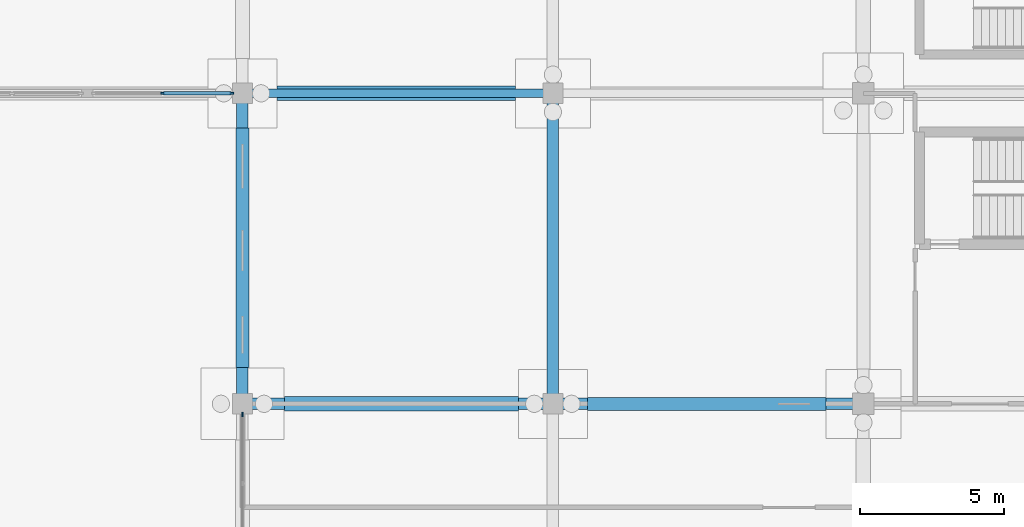
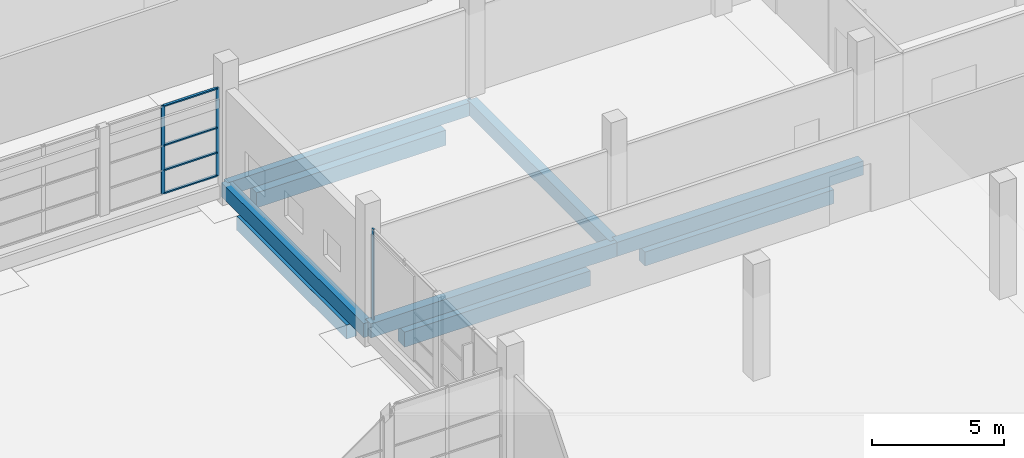
# One storey, part 61 of 138: 9 beams, 7 members, 2 elements without a shape of their own.
"""IFC4 building model written with IfcOpenShell, lengths in metres."""

from ifc_helpers import new_model, si_unit, direction, frame, origin, origin_2d, place, context, subcontext, project, spatial, rectangle, extrude, material, material_profile, profile_set, type_object, element, aggregate, save


model = new_model("IFC4")

# Units and contexts
model_context = context("Model", 3, precision=1e-05, world=origin(), true_north=direction((0.0, 1.0)))
body_context = subcontext(model_context, "Body", "Model", "MODEL_VIEW")
ifc_project = project(units=[si_unit("LENGTHUNIT", "METRE"), si_unit("AREAUNIT", "SQUARE_METRE"), si_unit("VOLUMEUNIT", "CUBIC_METRE"), si_unit("PLANEANGLEUNIT", "RADIAN"), si_unit("MASSUNIT", "GRAM", prefix="KILO")], contexts=[model_context])

# Site, building, storey
site_placement = place(None, origin())
site = spatial("IfcSite", under=ifc_project, at=site_placement, CompositionType="ELEMENT")
building_placement = place(site_placement, origin())
building = spatial("IfcBuilding", under=site, at=building_placement, Name="Zwinboog Wholesale Market", CompositionType="ELEMENT")
storey_placement = place(building_placement, origin())
storey = spatial("IfcBuildingStorey", under=building, at=storey_placement, Name="L00", CompositionType="ELEMENT", Elevation=0.0)

# Beams
ifc_material_1 = material(Name="Precast concrete C45/55", Category="concrete")
ifc_material_profile_1 = material_profile(ifc_material_1, rectangle(XDim=0.39990234375, YDim=0.64990234375, at=origin_2d()), Name="PC 400x650")
ifc_profile_set_1 = profile_set([ifc_material_profile_1], Name="Precast concrete C45/55")
beam_type_1 = type_object("IfcBeamType", Name="BT-05", PredefinedType="BEAM", material=ifc_profile_set_1)
beam_1_placement = place(storey_placement, frame((129.60009765625, 32.39990234375, -0.6669921875), z_axis=(1.0, 0.0, 0.0), x_axis=(0.0, 1.0, 0.0)))
element("IfcBeam", 1, at=beam_1_placement, inside=storey, type_object=beam_type_1, Name="BG-05 (BMG-L00-1296-0324-0047)", PredefinedType="BEAM", context=body_context, shape_type="SweptSolid", body=[
    extrude(rectangle(XDim=0.39990234375, YDim=0.64990234375, at=origin_2d()), origin(), (0.0, 0.0, 1.0), 10.7998046875),
])
for number, where, z_axis, x_axis, name in (
    (2, (140.39990234375, 32.39990234375, -0.6669921875), (1.0, 0.0, 0.0), (0.0, 1.0, 0.0), "BG-05 (BMG-L00-1404-0324-0048)"),
    (3, (129.60009765625, 32.39990234375, -0.705078125), (0.0, 1.0, 0.0), (-1.0, 0.0, 0.0), "BG-05 (BMG-L00-1296-0324-0332)"),
    (4, (140.39990234375, 32.39990234375, -0.6669921875), (0.0, 1.0, 0.0), (-1.0, 0.0, 0.0), "BG-05 (BMG-L00-1404-0324-0344)"),
):
    element("IfcBeam", number, at=place(storey_placement, frame(where, z_axis=z_axis, x_axis=x_axis)), inside=storey, type_object=beam_type_1, Name=name, PredefinedType="BEAM", context=body_context, shape_type="SweptSolid", body=[
        extrude(rectangle(XDim=0.39990234375, YDim=0.64990234375, at=origin_2d()), origin(), (0.0, 0.0, 1.0), 10.800048828125),
    ])
ifc_material_profile_2 = material_profile(ifc_material_1, rectangle(XDim=0.300048828125, YDim=0.60009765625, at=origin_2d()), Name="PC 300x600")
ifc_profile_set_2 = profile_set([ifc_material_profile_2], Name="Precast concrete C45/55")
beam_type_2 = type_object("IfcBeamType", Name="BT-09", PredefinedType="SPANDREL", material=ifc_profile_set_2)
beam_2_placement = place(storey_placement, frame((129.60009765625, 43.199951171875, -0.679931640625), z_axis=(1.0, 0.0, 0.0), x_axis=(0.0, 1.0, 0.0)))
element("IfcBeam", 5, at=beam_2_placement, inside=storey, type_object=beam_type_2, Name="SP-02 (BMG-L00-1296-0432-0065)", PredefinedType="SPANDREL", context=body_context, shape_type="SweptSolid", body=[
    extrude(rectangle(XDim=0.300048828125, YDim=0.60009765625, at=origin_2d()), origin(), (0.0, 0.0, 1.0), 10.7998046875),
])
ifc_material_2 = material(Name="Concrete C35/45", Category="concrete")
ifc_material_profile_3 = material_profile(ifc_material_2, rectangle(XDim=0.5, YDim=0.699951171875, at=origin_2d()), Name="RC 500x700")
ifc_profile_set_3 = profile_set([ifc_material_profile_3], Name="Concrete C35/45")
beam_type_3 = type_object("IfcBeamType", Name="BT-12", PredefinedType="USERDEFINED", material=ifc_profile_set_3)
beam_3_placement = place(storey_placement, frame((131.054931640625, 32.39990234375, -1.550048828125), z_axis=(1.0, 0.0, 0.0), x_axis=(0.0, 1.0, 0.0)))
element("IfcBeam", 6, at=beam_3_placement, inside=storey, type_object=beam_type_3, Name="GB-01 (BM-GB-0025)", ObjectType="GROUND_BEAM", PredefinedType="USERDEFINED", context=body_context, shape_type="SweptSolid", body=[
    extrude(rectangle(XDim=0.5, YDim=0.699951171875, at=origin_2d()), origin(), (0.0, 0.0, 1.0), 8.14013671875),
])
beam_4_placement = place(storey_placement, frame((130.804931640625, 43.199951171875, -1.550048828125), z_axis=(1.0, 0.0, 0.0), x_axis=(0.0, 1.0, 0.0)))
element("IfcBeam", 7, at=beam_4_placement, inside=storey, type_object=beam_type_3, Name="GB-01 (BM-GB-0045)", ObjectType="GROUND_BEAM", PredefinedType="USERDEFINED", context=body_context, shape_type="SweptSolid", body=[
    extrude(rectangle(XDim=0.5, YDim=0.699951171875, at=origin_2d()), origin(), (0.0, 0.0, 1.0), 8.2900390625),
])
ifc_material_profile_4 = material_profile(ifc_material_2, rectangle(XDim=0.449951171875, YDim=0.64990234375, at=origin_2d()), Name="RC 450x650")
ifc_profile_set_4 = profile_set([ifc_material_profile_4], Name="Concrete C35/45")
beam_type_4 = type_object("IfcBeamType", Name="BT-13", PredefinedType="USERDEFINED", material=ifc_profile_set_4)
beam_5_placement = place(storey_placement, frame((141.60498046875, 32.39990234375, -1.52490234375), z_axis=(1.0, 0.0, 0.0), x_axis=(0.0, 1.0, 0.0)))
element("IfcBeam", 8, at=beam_5_placement, inside=storey, type_object=beam_type_4, Name="GB-02 (BM-GB-0026)", ObjectType="GROUND_BEAM", PredefinedType="USERDEFINED", context=body_context, shape_type="SweptSolid", body=[
    extrude(rectangle(XDim=0.449951171875, YDim=0.64990234375, at=origin_2d()), origin(), (0.0, 0.0, 1.0), 8.2900390625),
])
beam_6_placement = place(storey_placement, frame((129.60009765625, 33.655029296875, -1.52490234375), z_axis=(0.0, 1.0, 0.0), x_axis=(-1.0, 0.0, 0.0)))
element("IfcBeam", 9, at=beam_6_placement, inside=storey, type_object=beam_type_4, Name="GB-02 (BM-GB-0175)", ObjectType="GROUND_BEAM", PredefinedType="USERDEFINED", context=body_context, shape_type="SweptSolid", body=[
    extrude(rectangle(XDim=0.449951171875, YDim=0.64990234375, at=origin_2d()), origin(), (0.0, 0.0, 1.0), 8.340087890625),
])

# Curtain wall, members
ifc_material_3 = material(Name="Aluminium thermally broken curtain wall", Category="aluminium")
curtain_wall_type_1 = type_object("IfcCurtainWallType", Name="CWT-STALL-20", PredefinedType="USERDEFINED", material=ifc_material_3)
curtain_wall_1_placement = place(storey_placement, origin())
curtain_wall_1 = element("IfcCurtainWall", 10, at=curtain_wall_1_placement, inside=storey, type_object=curtain_wall_type_1, Name="CW-02 (CW-L00-044)", ObjectType="STOREFRONT_GLAZING", PredefinedType="USERDEFINED")
ifc_material_4 = material(Name="Aluminium EN AW-6060", Category="aluminium")
ifc_material_profile_5 = material_profile(ifc_material_4, rectangle(XDim=0.06005859375, YDim=0.14990234375, at=origin_2d()), Name="AL 60x150")
ifc_profile_set_5 = profile_set([ifc_material_profile_5], Name="Aluminium EN AW-6060")
member_type_1 = type_object("IfcMemberType", Name="CWM-60x150", PredefinedType="MULLION", material=ifc_profile_set_5)
member_1_placement = place(storey_placement, frame((126.827392578125, 43.199951171875, 0.0), z_axis=(0.0, 0.0, 1.0), x_axis=(0.0, 1.0, 0.0)))
member_1 = element("IfcMember", 11, at=member_1_placement, type_object=member_type_1, Name="CW-02 mullion 2", PredefinedType="MULLION", context=body_context, shape_type="SweptSolid", body=[
    extrude(rectangle(XDim=0.06005859375, YDim=0.14990234375, at=origin_2d()), origin(), (0.0, 0.0, 1.0), 4.097900390625),
])
member_2_placement = place(storey_placement, frame((129.22509765625, 43.199951171875, 0.0), z_axis=(0.0, 0.0, 1.0), x_axis=(0.0, 1.0, 0.0)))
member_2 = element("IfcMember", 12, at=member_2_placement, type_object=member_type_1, Name="CW-02 mullion 3", PredefinedType="MULLION", context=body_context, shape_type="SweptSolid", body=[
    extrude(rectangle(XDim=0.06005859375, YDim=0.14990234375, at=origin_2d()), origin(), (0.0, 0.0, 1.0), 4.097900390625),
])

# Curtain wall, member
curtain_wall_type_2 = type_object("IfcCurtainWallType", Name="CWT-GAL-16", PredefinedType="USERDEFINED", material=ifc_material_3)
curtain_wall_2_placement = place(storey_placement, origin())
curtain_wall_2 = element("IfcCurtainWall", 13, at=curtain_wall_2_placement, inside=storey, type_object=curtain_wall_type_2, Name="CW-04 (CW-L00-046)", ObjectType="UNITIZED_CURTAIN_WALL", PredefinedType="USERDEFINED")
member_3_placement = place(storey_placement, frame((129.60009765625, 32.02490234375, 0.0), z_axis=(0.0, 0.0, 1.0), x_axis=(-1.0, 0.0, 0.0)))
member_3 = element("IfcMember", 14, at=member_3_placement, type_object=member_type_1, Name="CW-04 mullion 3", PredefinedType="MULLION", context=body_context, shape_type="SweptSolid", body=[
    extrude(rectangle(XDim=0.06005859375, YDim=0.14990234375, at=origin_2d()), origin(), (0.0, 0.0, 1.0), 4.197998046875),
])
aggregate(curtain_wall_2, [member_3])

# Member
ifc_material_profile_6 = material_profile(ifc_material_4, rectangle(XDim=0.110107421875, YDim=0.06005859375, at=origin_2d()), Name="AL 60x110")
ifc_profile_set_6 = profile_set([ifc_material_profile_6], Name="Aluminium EN AW-6060")
member_type_2 = type_object("IfcMemberType", Name="CWT-60x110", PredefinedType="USERDEFINED", material=ifc_profile_set_6)
member_4_placement = place(storey_placement, frame((126.857421875, 43.199951171875, 0.030029296875), z_axis=(1.0, 0.0, 0.0), x_axis=(0.0, 1.0, 0.0)))
member_4 = element("IfcMember", 15, at=member_4_placement, type_object=member_type_2, Name="CW-02 transom 2.1", ObjectType="TRANSOM", PredefinedType="USERDEFINED", context=body_context, shape_type="SweptSolid", body=[
    extrude(rectangle(XDim=0.110107421875, YDim=0.06005859375, at=origin_2d()), origin(), (0.0, 0.0, 1.0), 2.337646484375),
])

member_5_placement = place(storey_placement, frame((126.857421875, 43.199951171875, 1.10009765625), z_axis=(1.0, 0.0, 0.0), x_axis=(0.0, 1.0, 0.0)))
member_5 = element("IfcMember", 16, at=member_5_placement, type_object=member_type_2, Name="CW-02 transom 2.2", ObjectType="TRANSOM", PredefinedType="USERDEFINED", context=body_context, shape_type="SweptSolid", body=[
    extrude(rectangle(XDim=0.110107421875, YDim=0.06005859375, at=origin_2d()), origin(), (0.0, 0.0, 1.0), 2.337646484375),
])

member_6_placement = place(storey_placement, frame((126.857421875, 43.199951171875, 2.25), z_axis=(1.0, 0.0, 0.0), x_axis=(0.0, 1.0, 0.0)))
member_6 = element("IfcMember", 17, at=member_6_placement, type_object=member_type_2, Name="CW-02 transom 2.3", ObjectType="TRANSOM", PredefinedType="USERDEFINED", context=body_context, shape_type="SweptSolid", body=[
    extrude(rectangle(XDim=0.110107421875, YDim=0.06005859375, at=origin_2d()), origin(), (0.0, 0.0, 1.0), 2.337646484375),
])

member_7_placement = place(storey_placement, frame((126.857421875, 43.199951171875, 4.068115234375), z_axis=(1.0, 0.0, 0.0), x_axis=(0.0, 1.0, 0.0)))
member_7 = element("IfcMember", 18, at=member_7_placement, type_object=member_type_2, Name="CW-02 transom 2.4", ObjectType="TRANSOM", PredefinedType="USERDEFINED", context=body_context, shape_type="SweptSolid", body=[
    extrude(rectangle(XDim=0.110107421875, YDim=0.06005859375, at=origin_2d()), origin(), (0.0, 0.0, 1.0), 2.337646484375),
])

aggregate(curtain_wall_1, [member_1, member_2, member_4, member_5, member_6, member_7])

save(model, "model.ifc")
